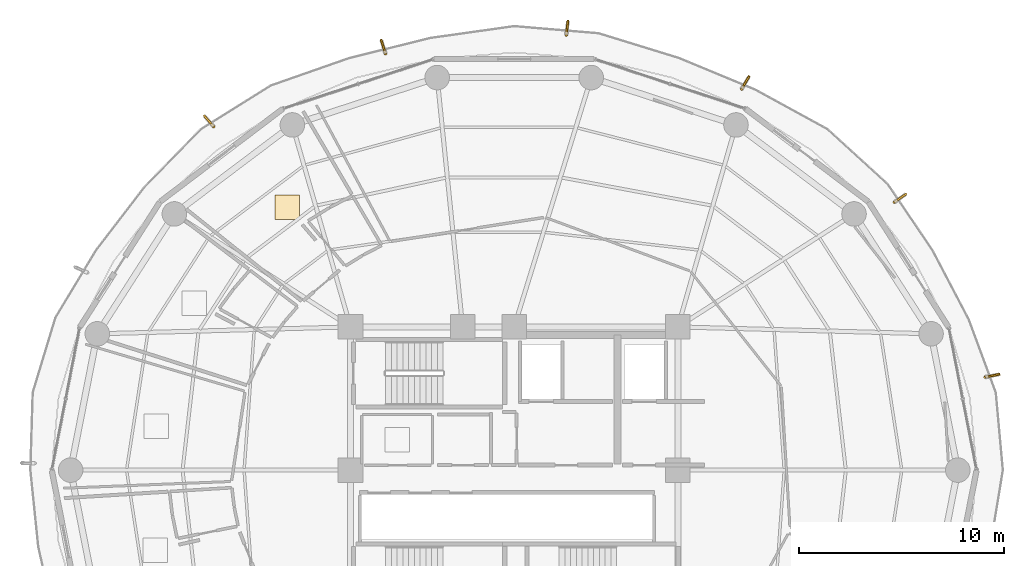
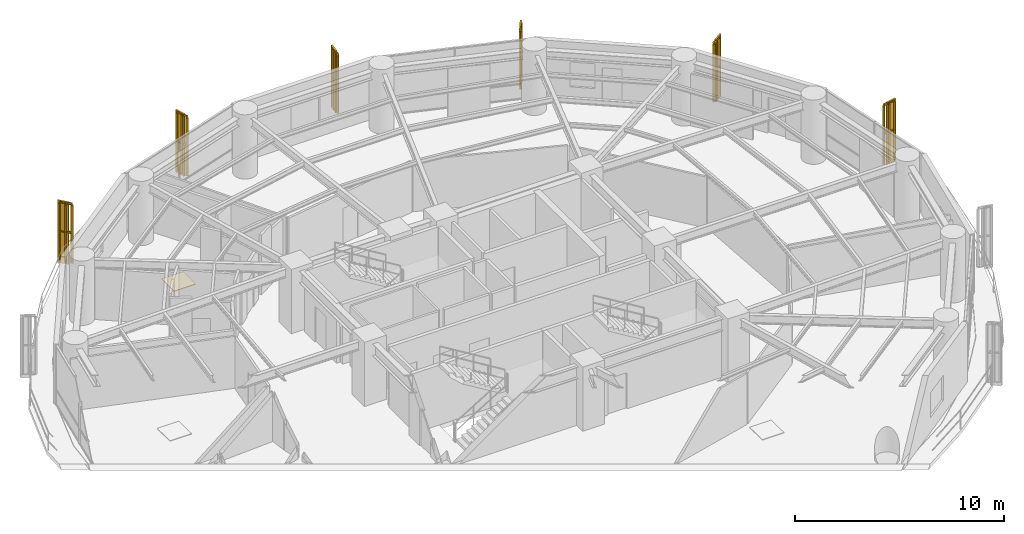
# One storey, part 27 of 27: 6 railings, 6 shading devices, 1 covering.
"""IFC4 building model written with IfcOpenShell, lengths in metres."""

from ifc_helpers import new_model, si_unit, direction, frame, origin, origin_2d, place, context, subcontext, project, spatial, polyline, rectangle, outline, extrude, source, transform, mapped, material, layer, layer_set, type_object, element, save


model = new_model("IFC4")

# Units and contexts
model_context = context("Model", 3, precision=1e-05, world=origin(), true_north=direction((0.0, 1.0)))
body_context = subcontext(model_context, "Body", "Model", "MODEL_VIEW")
ifc_project = project(units=[si_unit("LENGTHUNIT", "METRE"), si_unit("AREAUNIT", "SQUARE_METRE"), si_unit("VOLUMEUNIT", "CUBIC_METRE"), si_unit("PLANEANGLEUNIT", "RADIAN"), si_unit("MASSUNIT", "GRAM", prefix="KILO")], contexts=[model_context])

# Site, building, storey
site_placement = place(None, origin())
site = spatial("IfcSite", under=ifc_project, at=site_placement, CompositionType="ELEMENT")
building_placement = place(site_placement, origin())
building = spatial("IfcBuilding", under=site, at=building_placement, Name="Kelanora Arch Commons", CompositionType="ELEMENT")
storey_placement = place(building_placement, frame((0.0, 0.0, 146.85009765625)))
storey = spatial("IfcBuildingStorey", under=building, at=storey_placement, Name="L37", CompositionType="ELEMENT", Elevation=146.85009765625)

# Railings
ifc_material_1 = material(Name="Anodised bronze vertical shading fin rib assembly")
railing_type = type_object("IfcRailingType", Name="RAIL-FIN-BRZ", PredefinedType="BALUSTRADE", material=ifc_material_1)
railing_1_placement = place(storey_placement, frame((97.021484375, 62.547607421875, -0.02001953125)))
element("IfcRailing", 1, at=railing_1_placement, inside=storey, type_object=railing_type, Name="Sweeping Bronze Vertical Fin Blade L37-00", PredefinedType="BALUSTRADE", context=body_context, shape_type="SweptSolid", body=[
    extrude(outline(polyline([(0.06982421875, 0.0), (0.034912109375, 0.060546875), (-0.034912109375, 0.060546875), (-0.06982421875, 0.0), (-0.034912109375, -0.060546875), (0.034912109375, -0.060546875), (0.06982421875, 0.0)])), frame((0.0, 0.0, 3.419921875), z_axis=(0.981099221873, 0.193505340599, 0.0), x_axis=(-0.193505340599, 0.981099221873, 0.0)), (0.0, 0.0, 1.0), 0.629638671875),
    extrude(outline(polyline([(0.06982421875, 0.0), (0.034912109375, 0.060546875), (-0.034912109375, 0.060546875), (-0.06982421875, 0.0), (-0.034912109375, -0.060546875), (0.034912109375, -0.060546875), (0.06982421875, 0.0)])), frame((0.0, 0.0, 1.7451171875), z_axis=(0.981099221873, 0.193505340599, 0.0), x_axis=(-0.193505340599, 0.981099221873, 0.0)), (0.0, 0.0, 1.0), 0.629638671875),
    extrude(outline(polyline([(0.080078125, 0.0), (0.0400390625, 0.0693359375), (-0.0400390625, 0.0693359375), (-0.080078125, 0.0), (-0.0400390625, -0.0693359375), (0.0400390625, -0.0693359375), (0.080078125, 0.0)])), origin(), (0.0, 0.0, 1.0), 3.35009765625),
    extrude(outline(polyline([(0.080078125, 0.0), (0.0400390625, 0.0693359375), (-0.0400390625, 0.0693359375), (-0.080078125, 0.0), (-0.0400390625, -0.0693359375), (0.0400390625, -0.0693359375), (0.080078125, 0.0)])), frame((0.308837890625, 0.06103515625, 0.0)), (0.0, 0.0, 1.0), 3.35009765625),
    extrude(outline(polyline([(0.080078125, 0.0), (0.0400390625, 0.0693359375), (-0.0400390625, 0.0693359375), (-0.080078125, 0.0), (-0.0400390625, -0.0693359375), (0.0400390625, -0.0693359375), (0.080078125, 0.0)])), frame((0.61767578125, 0.121826171875, 0.0)), (0.0, 0.0, 1.0), 3.35009765625),
])
railing_2_placement = place(storey_placement, frame((92.582763671875, 71.09619140625, -0.02001953125)))
element("IfcRailing", 2, at=railing_2_placement, inside=storey, type_object=railing_type, Name="Sweeping Bronze Vertical Fin Blade L37-01", PredefinedType="BALUSTRADE", context=body_context, shape_type="SweptSolid", body=[
    extrude(outline(polyline([(0.06982421875, 0.0), (0.034912109375, 0.060546875), (-0.034912109375, 0.060546875), (-0.06982421875, 0.0), (-0.034912109375, -0.060546875), (0.034912109375, -0.060546875), (0.06982421875, 0.0)])), frame((0.0, 0.0, 3.419921875), z_axis=(0.817515631051, 0.57590640992, 0.0), x_axis=(-0.57590640992, 0.817515631051, 0.0)), (0.0, 0.0, 1.0), 0.629638671875),
    extrude(outline(polyline([(0.06982421875, 0.0), (0.034912109375, 0.060546875), (-0.034912109375, 0.060546875), (-0.06982421875, 0.0), (-0.034912109375, -0.060546875), (0.034912109375, -0.060546875), (0.06982421875, 0.0)])), frame((0.0, 0.0, 1.7451171875), z_axis=(0.817515631051, 0.57590640992, 0.0), x_axis=(-0.57590640992, 0.817515631051, 0.0)), (0.0, 0.0, 1.0), 0.629638671875),
    extrude(outline(polyline([(0.080078125, 0.0), (0.0400390625, 0.0693359375), (-0.0400390625, 0.0693359375), (-0.080078125, 0.0), (-0.0400390625, -0.0693359375), (0.0400390625, -0.0693359375), (0.080078125, 0.0)])), origin(), (0.0, 0.0, 1.0), 3.35009765625),
    extrude(outline(polyline([(0.080078125, 0.0), (0.0400390625, 0.0693359375), (-0.0400390625, 0.0693359375), (-0.080078125, 0.0), (-0.0400390625, -0.0693359375), (0.0400390625, -0.0693359375), (0.080078125, 0.0)])), frame((0.25732421875, 0.18115234375, 0.0)), (0.0, 0.0, 1.0), 3.35009765625),
    extrude(outline(polyline([(0.080078125, 0.0), (0.0400390625, 0.0693359375), (-0.0400390625, 0.0693359375), (-0.080078125, 0.0), (-0.0400390625, -0.0693359375), (0.0400390625, -0.0693359375), (0.080078125, 0.0)])), frame((0.5146484375, 0.362548828125, 0.0)), (0.0, 0.0, 1.0), 3.35009765625),
])
railing_3_placement = place(storey_placement, frame((85.1201171875, 76.635009765625, -0.02001953125)))
element("IfcRailing", 3, at=railing_3_placement, inside=storey, type_object=railing_type, Name="Sweeping Bronze Vertical Fin Blade L37-02", PredefinedType="BALUSTRADE", context=body_context, shape_type="SweptSolid", body=[
    extrude(outline(polyline([(0.06982421875, 0.0), (0.034912109375, 0.060546875), (-0.034912109375, 0.060546875), (-0.06982421875, 0.0), (-0.034912109375, -0.060546875), (0.034912109375, -0.060546875), (0.06982421875, 0.0)])), frame((0.0, 0.0, 3.419921875), z_axis=(0.512499005054, 0.858687818604, 0.0), x_axis=(-0.858687818604, 0.512499005054, 0.0)), (0.0, 0.0, 1.0), 0.6298828125),
    extrude(outline(polyline([(0.06982421875, 0.0), (0.034912109375, 0.060546875), (-0.034912109375, 0.060546875), (-0.06982421875, 0.0), (-0.034912109375, -0.060546875), (0.034912109375, -0.060546875), (0.06982421875, 0.0)])), frame((0.0, 0.0, 1.7451171875), z_axis=(0.512499005054, 0.858687818604, 0.0), x_axis=(-0.858687818604, 0.512499005054, 0.0)), (0.0, 0.0, 1.0), 0.6298828125),
    extrude(outline(polyline([(0.080078125, 0.0), (0.0400390625, 0.0693359375), (-0.0400390625, 0.0693359375), (-0.080078125, 0.0), (-0.0400390625, -0.0693359375), (0.0400390625, -0.0693359375), (0.080078125, 0.0)])), origin(), (0.0, 0.0, 1.0), 3.35009765625),
    extrude(outline(polyline([(0.080078125, 0.0), (0.0400390625, 0.0693359375), (-0.0400390625, 0.0693359375), (-0.080078125, 0.0), (-0.0400390625, -0.0693359375), (0.0400390625, -0.0693359375), (0.080078125, 0.0)])), frame((0.161376953125, 0.2705078125, 0.0)), (0.0, 0.0, 1.0), 3.35009765625),
    extrude(outline(polyline([(0.080078125, 0.0), (0.0400390625, 0.0693359375), (-0.0400390625, 0.0693359375), (-0.080078125, 0.0), (-0.0400390625, -0.0693359375), (0.0400390625, -0.0693359375), (0.080078125, 0.0)])), frame((0.32275390625, 0.540771484375, 0.0)), (0.0, 0.0, 1.0), 3.35009765625),
])
railing_4_placement = place(storey_placement, frame((76.54541015625, 79.264892578125, -0.02001953125)))
element("IfcRailing", 4, at=railing_4_placement, inside=storey, type_object=railing_type, Name="Sweeping Bronze Vertical Fin Blade L37-03", PredefinedType="BALUSTRADE", context=body_context, shape_type="SweptSolid", body=[
    extrude(outline(polyline([(0.06982421875, 0.0), (0.034912109375, 0.060546875), (-0.034912109375, 0.060546875), (-0.06982421875, 0.0), (-0.034912109375, -0.060546875), (0.034912109375, -0.060546875), (0.06982421875, 0.0)])), frame((0.0, 0.0, 3.419921875), z_axis=(0.119068752186, 0.992886011712, 0.0), x_axis=(-0.992886011712, 0.119068752186, 0.0)), (0.0, 0.0, 1.0), 0.62939453125),
    extrude(outline(polyline([(0.06982421875, 0.0), (0.034912109375, 0.060546875), (-0.034912109375, 0.060546875), (-0.06982421875, 0.0), (-0.034912109375, -0.060546875), (0.034912109375, -0.060546875), (0.06982421875, 0.0)])), frame((0.0, 0.0, 1.7451171875), z_axis=(0.119068752186, 0.992886011712, 0.0), x_axis=(-0.992886011712, 0.119068752186, 0.0)), (0.0, 0.0, 1.0), 0.62939453125),
    extrude(outline(polyline([(0.080078125, 0.0), (0.0400390625, 0.0693359375), (-0.0400390625, 0.0693359375), (-0.080078125, 0.0), (-0.0400390625, -0.0693359375), (0.0400390625, -0.0693359375), (0.080078125, 0.0)])), origin(), (0.0, 0.0, 1.0), 3.35009765625),
    extrude(outline(polyline([(0.080078125, 0.0), (0.0400390625, 0.0693359375), (-0.0400390625, 0.0693359375), (-0.080078125, 0.0), (-0.0400390625, -0.0693359375), (0.0400390625, -0.0693359375), (0.080078125, 0.0)])), frame((0.03759765625, 0.3125, 0.0)), (0.0, 0.0, 1.0), 3.35009765625),
    extrude(outline(polyline([(0.080078125, 0.0), (0.0400390625, 0.0693359375), (-0.0400390625, 0.0693359375), (-0.080078125, 0.0), (-0.0400390625, -0.0693359375), (0.0400390625, -0.0693359375), (0.080078125, 0.0)])), frame((0.074951171875, 0.625, 0.0)), (0.0, 0.0, 1.0), 3.35009765625),
])
railing_5_placement = place(storey_placement, frame((67.7099609375, 78.352294921875, -0.02001953125)))
element("IfcRailing", 5, at=railing_5_placement, inside=storey, type_object=railing_type, Name="Sweeping Bronze Vertical Fin Blade L37-04", PredefinedType="BALUSTRADE", context=body_context, shape_type="SweptSolid", body=[
    extrude(outline(polyline([(0.06982421875, 0.0), (0.034912109375, 0.060546875), (-0.034912109375, 0.060546875), (-0.06982421875, 0.0), (-0.034912109375, -0.060546875), (0.034912109375, -0.060546875), (0.06982421875, 0.0)])), frame((0.0, 0.0, 3.419921875), z_axis=(-0.294984595733, 0.955502008517, 0.0), x_axis=(-0.955502008517, -0.294984595733, 0.0)), (0.0, 0.0, 1.0), 0.6298828125),
    extrude(outline(polyline([(0.06982421875, 0.0), (0.034912109375, 0.060546875), (-0.034912109375, 0.060546875), (-0.06982421875, 0.0), (-0.034912109375, -0.060546875), (0.034912109375, -0.060546875), (0.06982421875, 0.0)])), frame((0.0, 0.0, 1.7451171875), z_axis=(-0.294984595733, 0.955502008517, 0.0), x_axis=(-0.955502008517, -0.294984595733, 0.0)), (0.0, 0.0, 1.0), 0.6298828125),
    extrude(outline(polyline([(0.080078125, 0.0), (0.0400390625, 0.0693359375), (-0.0400390625, 0.0693359375), (-0.080078125, 0.0), (-0.0400390625, -0.0693359375), (0.0400390625, -0.0693359375), (0.080078125, 0.0)])), origin(), (0.0, 0.0, 1.0), 3.35009765625),
    extrude(outline(polyline([(0.080078125, 0.0), (0.0400390625, 0.0693359375), (-0.0400390625, 0.0693359375), (-0.080078125, 0.0), (-0.0400390625, -0.0693359375), (0.0400390625, -0.0693359375), (0.080078125, 0.0)])), frame((-0.0927734375, 0.30078125, 0.0)), (0.0, 0.0, 1.0), 3.35009765625),
    extrude(outline(polyline([(0.080078125, 0.0), (0.0400390625, 0.0693359375), (-0.0400390625, 0.0693359375), (-0.080078125, 0.0), (-0.0400390625, -0.0693359375), (0.0400390625, -0.0693359375), (0.080078125, 0.0)])), frame((-0.185791015625, 0.601806640625, 0.0)), (0.0, 0.0, 1.0), 3.35009765625),
])
railing_6_placement = place(storey_placement, frame((59.30908203125, 74.79638671875, -0.02001953125)))
element("IfcRailing", 6, at=railing_6_placement, inside=storey, type_object=railing_type, Name="Sweeping Bronze Vertical Fin Blade L37-05", PredefinedType="BALUSTRADE", context=body_context, shape_type="SweptSolid", body=[
    extrude(outline(polyline([(0.06982421875, 0.0), (0.034912109375, 0.060546875), (-0.034912109375, 0.060546875), (-0.06982421875, 0.0), (-0.034912109375, -0.060546875), (0.034912109375, -0.060546875), (0.06982421875, 0.0)])), frame((0.0, 0.0, 3.419921875), z_axis=(-0.658010343094, 0.753008889975, 0.0), x_axis=(-0.753008889975, -0.658010343094, 0.0)), (0.0, 0.0, 1.0), 0.629638671875),
    extrude(outline(polyline([(0.06982421875, 0.0), (0.034912109375, 0.060546875), (-0.034912109375, 0.060546875), (-0.06982421875, 0.0), (-0.034912109375, -0.060546875), (0.034912109375, -0.060546875), (0.06982421875, 0.0)])), frame((0.0, 0.0, 1.7451171875), z_axis=(-0.658010343094, 0.753008889975, 0.0), x_axis=(-0.753008889975, -0.658010343094, 0.0)), (0.0, 0.0, 1.0), 0.629638671875),
    extrude(outline(polyline([(0.080078125, 0.0), (0.0400390625, 0.0693359375), (-0.0400390625, 0.0693359375), (-0.080078125, 0.0), (-0.0400390625, -0.0693359375), (0.0400390625, -0.0693359375), (0.080078125, 0.0)])), origin(), (0.0, 0.0, 1.0), 3.35009765625),
    extrude(outline(polyline([(0.080078125, 0.0), (0.0400390625, 0.0693359375), (-0.0400390625, 0.0693359375), (-0.080078125, 0.0), (-0.0400390625, -0.0693359375), (0.0400390625, -0.0693359375), (0.080078125, 0.0)])), frame((-0.20703125, 0.237060546875, 0.0)), (0.0, 0.0, 1.0), 3.35009765625),
    extrude(outline(polyline([(0.080078125, 0.0), (0.0400390625, 0.0693359375), (-0.0400390625, 0.0693359375), (-0.080078125, 0.0), (-0.0400390625, -0.0693359375), (0.0400390625, -0.0693359375), (0.080078125, 0.0)])), frame((-0.414306640625, 0.47412109375, 0.0)), (0.0, 0.0, 1.0), 3.35009765625),
])

# Shading devices
ifc_material_2 = material(Name="Terracotta ceramic-clad extruded aluminium fin", Category="masonry")
shading_device_type = type_object("IfcShadingDeviceType", Name="SHD-FIN-WAIST", PredefinedType="USERDEFINED", material=ifc_material_2)
shared_shape_1 = source(origin(), body_context, "Body", "SweptSolid", [
    extrude(rectangle(XDim=0.56005859375, YDim=0.090087890625, at=origin_2d()), origin(), (0.0, 0.0, 1.0), 3.610107421875),
])
for number, where, z_axis, x_axis, name in (
    (7, (97.467529296875, 62.6357421875, -0.14013671875), (0.0, 0.0, 1.0), (0.981056721746, 0.1937206977, 0.0), "Sweeping Terracotta Fin L37-00"),
    (8, (92.95458984375, 71.358154296875, -0.14013671875), (0.0, 0.0, 1.0), (0.817446605564, 0.576004381105, 0.0), "Sweeping Terracotta Fin L37-01"),
    (9, (85.353271484375, 77.025634765625, -0.14013671875), (0.0, 0.0, 1.0), (0.512492545011, 0.858691674181, 0.0), "Sweeping Terracotta Fin L37-02"),
    (10, (76.599609375, 79.71630859375, -0.14013671875), (0.0, 0.0, 1.0), (0.118923867576, 0.992903375823, 0.0), "Sweeping Terracotta Fin L37-03"),
    (11, (67.57568359375, 78.786865234375, -0.14013671875), (0.0, 0.0, 1.0), (-0.295207826951, 0.955433063541, 0.0), "Sweeping Terracotta Fin L37-04"),
    (12, (59.009765625, 75.138916015625, -0.14013671875), (0.0, 0.0, 1.0), (-0.65829540632, 0.752759694735, 0.0), "Sweeping Terracotta Fin L37-05"),
):
    element("IfcShadingDevice", number, at=place(storey_placement, frame(where, z_axis=z_axis, x_axis=x_axis)), inside=storey, type_object=shading_device_type, Name=name, ObjectType="FIN", PredefinedType="USERDEFINED", context=body_context, shape_type="MappedRepresentation", body=[
        mapped(shared_shape_1, transform((0.0, 0.0, 0.0), scale=1.0)),
    ])

# Covering
ifc_material_3 = material(Name="Polished local granite terrazzo flooring", Category="masonry")
ifc_layer = layer(ifc_material_3, 0.030029296875)
ifc_layer_set = layer_set([ifc_layer], Name="Polished local granite terrazzo flooring")
covering_type = type_object("IfcCoveringType", Name="COV-FLR-TER", PredefinedType="FLOORING", material=ifc_layer_set)
shared_shape_2 = source(origin(), body_context, "Body", "SweptSolid", [
    extrude(rectangle(XDim=1.199951171875, YDim=1.199951171875, at=origin_2d()), origin(), (0.0, 0.0, 1.0), 0.030029296875),
])
covering_placement = place(storey_placement, frame((62.904296875, 70.841796875, 0.0), z_axis=(0.0, 0.0, 1.0), x_axis=(1.0, 0.0, 0.0)))
element("IfcCovering", 13, at=covering_placement, inside=storey, type_object=covering_type, Name="Co-Living Studio L37-01 Terrazzo Finish", PredefinedType="FLOORING", context=body_context, shape_type="MappedRepresentation", body=[
    mapped(shared_shape_2, transform((0.0, 0.0, 0.0), scale=1.0)),
])

save(model, "model.ifc")
